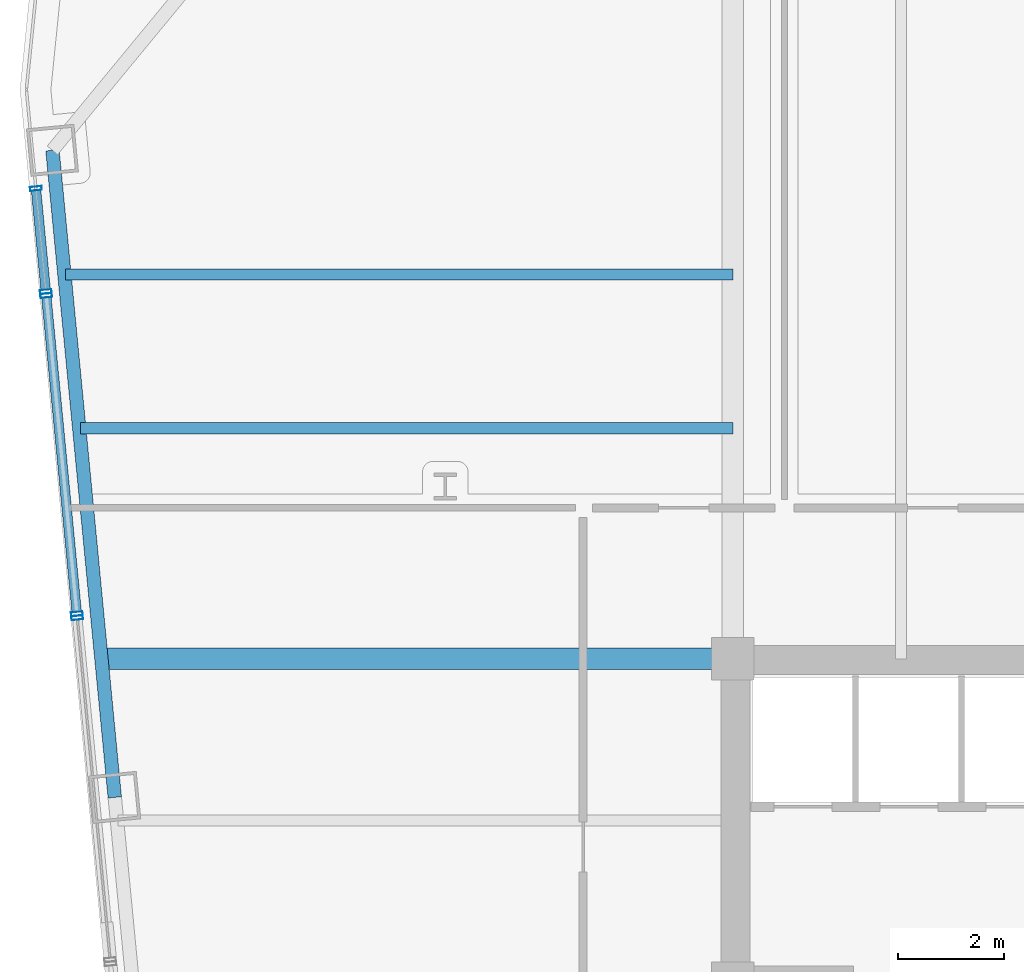
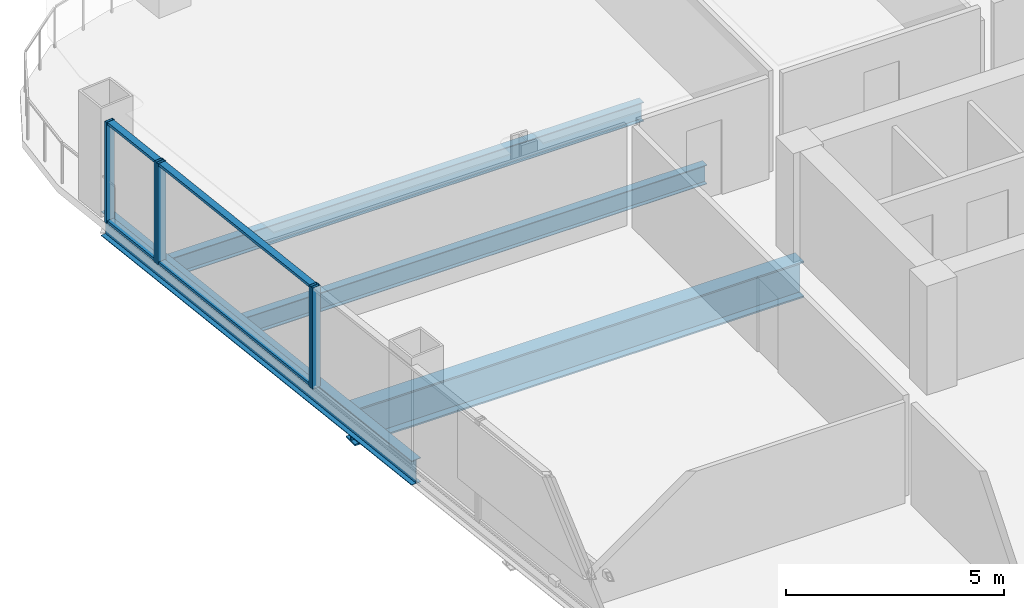
# One storey, part 20 of 34: 9 members, 4 beams, 3 elements without a shape of their own.
"""IFC4 building model written with IfcOpenShell, lengths in metres."""

import ifcopenshell
import ifcopenshell.guid

model = None  # the IFC model being written
_history = None  # IfcOwnerHistory: only IFC2X3 demands one
_inside = {}  # id of a spatial element -> (the spatial element, [elements in it])
_under = {}  # id of a project, library or spatial element -> (it, [spatial elements below it])
_declared = {}  # id of a project -> (the project, [libraries it declares])
_typed = {}  # id of a type object -> (the type object, [elements of that type])
_made_of = {}  # id of a material, layer set ... -> (it, [elements and type objects made of it])


def new_model(schema):
    """Start an empty IFC model of exactly this schema.

    Asked for "IFC4X3", IfcOpenShell would pick the latest addendum, in which some entities
    have other attributes; the version numbers below select the first issue.
    IFC2X3 requires an IfcOwnerHistory on every rooted entity: one is made here for all.
    """
    global model, _history
    if schema == "IFC4X3":
        model = ifcopenshell.file(schema_version=(4, 3, 0, 0))
    else:
        model = ifcopenshell.file(schema=schema)
    _inside.clear()
    _under.clear()
    _declared.clear()
    _typed.clear()
    _made_of.clear()
    _history = None
    if model.schema == "IFC2X3":
        org = make("IfcOrganization", Name="unknown")
        user = make(
            "IfcPersonAndOrganization",
            ThePerson=make("IfcPerson", FamilyName="unknown"),
            TheOrganization=org,
        )
        app = make(
            "IfcApplication",
            ApplicationDeveloper=org,
            Version="unknown",
            ApplicationFullName="unknown",
            ApplicationIdentifier="unknown",
        )
        _history = make(
            "IfcOwnerHistory",
            OwningUser=user,
            OwningApplication=app,
            ChangeAction="ADDED",
            CreationDate=0,
        )
    return model


def make(cls, **values):
    """One entity of the class cls with the attributes given. An attribute that is None is left unset."""
    return model.create_entity(
        cls, **{name: value for name, value in values.items() if value is not None}
    )


def rooted(cls, **values):
    """An entity with a GlobalId (a new one), such as an element, a storey or a relation."""
    return make(cls, GlobalId=ifcopenshell.guid.new(), OwnerHistory=_history, **values)


def si_unit(unit_type, name, prefix=None):
    """IfcSIUnit, for example si_unit("LENGTHUNIT", "METRE", prefix="MILLI")."""
    return make("IfcSIUnit", UnitType=unit_type, Prefix=prefix, Name=name)


def assignment(units):
    """IfcUnitAssignment: the units of a project."""
    return None if units is None else make("IfcUnitAssignment", Units=units)


def point(xyz):
    """IfcCartesianPoint."""
    return None if xyz is None else make("IfcCartesianPoint", Coordinates=xyz)


def direction(xyz):
    """IfcDirection."""
    return None if xyz is None else make("IfcDirection", DirectionRatios=xyz)


def frame(location, z_axis=None, x_axis=None):
    """IfcAxis2Placement3D, a coordinate frame: its origin and axes. An axis left out is left unset."""
    return make(
        "IfcAxis2Placement3D",
        Location=point(location),
        Axis=direction(z_axis),
        RefDirection=direction(x_axis),
    )


def frame_2d(location, x_axis=None):
    """IfcAxis2Placement2D, a coordinate frame in the plane: its origin and x axis."""
    return make(
        "IfcAxis2Placement2D", Location=point(location), RefDirection=direction(x_axis)
    )


def origin():
    """The frame at (0, 0, 0) with its axes left unset."""
    return frame((0.0, 0.0, 0.0))


def origin_2d():
    """The frame at (0, 0) in the plane with its x axis left unset."""
    return frame_2d((0.0, 0.0))


def place(relative_to, where):
    """IfcLocalPlacement: puts the frame where relative to a parent placement (None: the world)."""
    return make(
        "IfcLocalPlacement", PlacementRelTo=relative_to, RelativePlacement=where
    )


def context(
    kind, dimensions, precision=None, world=None, true_north=None, identifier=None
):
    """IfcGeometricRepresentationContext, for example the 3D "Model" context."""
    return make(
        "IfcGeometricRepresentationContext",
        ContextIdentifier=identifier,
        ContextType=kind,
        CoordinateSpaceDimension=dimensions,
        Precision=precision,
        WorldCoordinateSystem=world,
        TrueNorth=true_north,
    )


def subcontext(parent, identifier, kind, view, scale=None):
    """IfcGeometricRepresentationSubContext, for example "Body" below "Model"."""
    return make(
        "IfcGeometricRepresentationSubContext",
        ContextIdentifier=identifier,
        ContextType=kind,
        ParentContext=parent,
        TargetScale=scale,
        TargetView=view,
    )


def project(units=None, contexts=None):
    """IfcProject with its units and contexts."""
    return rooted(
        "IfcProject",
        Name="project",
        RepresentationContexts=contexts,
        UnitsInContext=assignment(units),
    )


def spatial(cls, under=None, at=None, **own):
    """A site, building, storey or space (cls), placed at a placement, below another one or the project."""
    s = rooted(cls, ObjectPlacement=at, **own)
    if under is not None:
        _under.setdefault(under.id(), (under, []))[1].append(s)
    return s


def profile(cls, at=None, kind="AREA", **sizes):
    """A parametric profile (cls). Its sizes go by their IFC names, for example OverallWidth=200.0."""
    return make(cls, ProfileType=kind, Position=at, **sizes)


def hollow_rectangle(**sizes):
    """IfcRectangleHollowProfileDef."""
    return profile("IfcRectangleHollowProfileDef", **sizes)


def i_section(**sizes):
    """IfcIShapeProfileDef."""
    return profile("IfcIShapeProfileDef", **sizes)


def extrude(swept, where, along, depth):
    """IfcExtrudedAreaSolid: the profile swept, set in the frame where, extruded along a direction by depth."""
    return make(
        "IfcExtrudedAreaSolid",
        SweptArea=swept,
        Position=where,
        ExtrudedDirection=direction(along),
        Depth=depth,
    )


def shape(context_of_items, identifier, shape_type, items):
    """IfcShapeRepresentation: the items that make up one representation, for example the "Body"."""
    return make(
        "IfcShapeRepresentation",
        ContextOfItems=context_of_items,
        RepresentationIdentifier=identifier,
        RepresentationType=shape_type,
        Items=items,
    )


def material(Name=None, Category=None):
    """IfcMaterial."""
    return make("IfcMaterial", Name=Name, Category=Category)


def layer(
    of_material, thickness, ventilated=None, Name=None, Category=None, Priority=None
):
    """IfcMaterialLayer: one layer of a wall or slab, of a material (None: an air gap)."""
    return make(
        "IfcMaterialLayer",
        Material=of_material,
        LayerThickness=thickness,
        IsVentilated=ventilated,
        Name=Name,
        Category=Category,
        Priority=Priority,
    )


def layer_set(layers, Name=None):
    """IfcMaterialLayerSet."""
    return make("IfcMaterialLayerSet", MaterialLayers=layers, LayerSetName=Name)


def material_profile(
    of_material, cross_section, Name=None, Category=None, Priority=None
):
    """IfcMaterialProfile: a cross section and its material."""
    return make(
        "IfcMaterialProfile",
        Name=Name,
        Material=of_material,
        Profile=cross_section,
        Priority=Priority,
        Category=Category,
    )


def profile_set(profiles, Name=None, composite=None):
    """IfcMaterialProfileSet."""
    return make(
        "IfcMaterialProfileSet",
        Name=Name,
        MaterialProfiles=profiles,
        CompositeProfile=composite,
    )


def made_of(thing, what):
    """Note that an element or type object is made of a material, layer set ...; save() writes the relation."""
    if what is not None:
        _made_of.setdefault(what.id(), (what, []))[1].append(thing)
    return thing


def type_object(cls, material=None, **own):
    """A type object (cls), such as IfcWallType, which elements share."""
    return made_of(rooted(cls, **own), material)


def element(
    cls,
    number,
    at=None,
    inside=None,
    cuts=None,
    type_object=None,
    material=None,
    context=None,
    identifier="Body",
    shape_type=None,
    held_by="IfcProductDefinitionShape",
    body=None,
    shapes=None,
    **own,
):
    """One element of the class cls, such as IfcWall. Its Tag is "e" and its number.

    at: its placement. inside: the storey or other place that contains it. cuts: it is an
    opening in that element (IfcRelVoidsElement). A single representation is given by context,
    identifier, shape_type and body (its items); several are given by shapes. held_by: the class
    of the entity that holds the representations. save() writes the other relations.
    """
    e = rooted(cls, Tag="e%d" % number, ObjectPlacement=at, **own)
    if body is not None:
        shapes = [shape(context, identifier, shape_type, body)]
    if shapes is not None:
        e.Representation = make(held_by, Representations=shapes)
    if inside is not None:
        _inside.setdefault(inside.id(), (inside, []))[1].append(e)
    if cuts is not None:
        rooted(
            "IfcRelVoidsElement", RelatingBuildingElement=cuts, RelatedOpeningElement=e
        )
    if type_object is not None:
        _typed.setdefault(type_object.id(), (type_object, []))[1].append(e)
    return made_of(e, material)


def aggregate(whole, parts):
    """IfcRelAggregates: a whole, such as a stair, and the parts it consists of."""
    return rooted("IfcRelAggregates", RelatingObject=whole, RelatedObjects=parts)


def save(model, path):
    """Write the relations noted so far, then the file.

    IfcRelAggregates (storeys below a building ...), IfcRelContainedInSpatialStructure (elements
    in a storey), IfcRelDefinesByType, IfcRelAssociatesMaterial and IfcRelDeclares: one each for
    every whole, place, type object, material and project.
    """
    for whole, parts in _under.values():
        aggregate(whole, parts)
    for where, things in _inside.values():
        rooted(
            "IfcRelContainedInSpatialStructure",
            RelatedElements=things,
            RelatingStructure=where,
        )
    for kind, things in _typed.values():
        rooted("IfcRelDefinesByType", RelatedObjects=things, RelatingType=kind)
    for what, things in _made_of.values():
        rooted("IfcRelAssociatesMaterial", RelatedObjects=things, RelatingMaterial=what)
    for by, libraries in _declared.values():
        rooted("IfcRelDeclares", RelatingContext=by, RelatedDefinitions=libraries)
    model.write(path)


model = new_model("IFC4")

# Units and contexts
model_context = context("Model", 3, precision=1e-05, world=origin(), true_north=direction((0.0, 1.0)))
body_context = subcontext(model_context, "Body", "Model", "MODEL_VIEW")
ifc_project = project(units=[si_unit("LENGTHUNIT", "METRE"), si_unit("AREAUNIT", "SQUARE_METRE"), si_unit("VOLUMEUNIT", "CUBIC_METRE"), si_unit("PLANEANGLEUNIT", "RADIAN"), si_unit("MASSUNIT", "GRAM", prefix="KILO")], contexts=[model_context])

# Site, building, storey
site_placement = place(None, origin())
site = spatial("IfcSite", under=ifc_project, at=site_placement, CompositionType="ELEMENT")
building_placement = place(site_placement, origin())
building = spatial("IfcBuilding", under=site, at=building_placement, Name="Qhalaya Broadcast Tower", CompositionType="ELEMENT")
storey_placement = place(building_placement, frame((0.0, 0.0, 78.60009765625)))
storey = spatial("IfcBuildingStorey", under=building, at=storey_placement, Name="L22", CompositionType="ELEMENT", Elevation=78.60009765625)

# Beams
ifc_material_1 = material(Name="Structural Steel ASTM A992 Grade 50", Category="steel")
ifc_material_profile_1 = material_profile(ifc_material_1, i_section(OverallWidth=0.2099609375, OverallDepth=0.535888671875, WebThickness=0.010986328125, FlangeThickness=0.017333984375, at=origin_2d()), Name="W21X68")
ifc_profile_set_1 = profile_set([ifc_material_profile_1], Name="Structural Steel ASTM A992 Grade 50")
beam_type_1 = type_object("IfcBeamType", Name="Composite Floor Joist J02", PredefinedType="JOIST", material=ifc_profile_set_1)
beam_1_placement = place(storey_placement, frame((-21.6875, 14.300048828125, -0.488037109375), z_axis=(1.0, 0.0, 0.0), x_axis=(0.0, 1.0, 0.0)))
element("IfcBeam", 1, at=beam_1_placement, inside=storey, type_object=beam_type_1, Name="L22 J02 L22-JWE6W-1", PredefinedType="JOIST", context=body_context, shape_type="SweptSolid", body=[
    extrude(i_section(OverallWidth=0.2099609375, OverallDepth=0.535888671875, WebThickness=0.010986328125, FlangeThickness=0.017333984375, at=origin_2d()), origin(), (0.0, 0.0, 1.0), 12.3125),
])
beam_2_placement = place(storey_placement, frame((-21.966796875, 17.199951171875, -0.488037109375), z_axis=(1.0, 0.0, 0.0), x_axis=(0.0, 1.0, 0.0)))
element("IfcBeam", 2, at=beam_2_placement, inside=storey, type_object=beam_type_1, Name="L22 J02 L22-JWE7W-1", PredefinedType="JOIST", context=body_context, shape_type="SweptSolid", body=[
    extrude(i_section(OverallWidth=0.2099609375, OverallDepth=0.535888671875, WebThickness=0.010986328125, FlangeThickness=0.017333984375, at=origin_2d()), origin(), (0.0, 0.0, 1.0), 12.591796875),
])
ifc_material_profile_2 = material_profile(ifc_material_1, i_section(OverallWidth=0.40087890625, OverallDepth=1.010986328125, WebThickness=0.023681640625, FlangeThickness=0.0419921875, at=origin_2d()), Name="W40X297")
ifc_profile_set_2 = profile_set([ifc_material_profile_2], Name="Structural Steel ASTM A992 Grade 50")
beam_type_2 = type_object("IfcBeamType", Name="Lower Block Primary Girder PG2", PredefinedType="USERDEFINED", material=ifc_profile_set_2)
beam_3_placement = place(storey_placement, frame((-21.2685546875, 9.949951171875, -0.7255859375), z_axis=(1.0, 0.0, 0.0), x_axis=(0.0, 1.0, 0.0)))
element("IfcBeam", 3, at=beam_3_placement, inside=storey, type_object=beam_type_2, Name="L22 PG2 L22-PGYW4-1", ObjectType="GIRDER", PredefinedType="USERDEFINED", context=body_context, shape_type="SweptSolid", body=[
    extrude(i_section(OverallWidth=0.40087890625, OverallDepth=1.010986328125, WebThickness=0.023681640625, FlangeThickness=0.0419921875, at=origin_2d()), origin(), (0.0, 0.0, 1.0), 11.8935546875),
])
ifc_material_profile_3 = material_profile(ifc_material_1, i_section(OverallWidth=0.25390625, OverallDepth=0.68310546875, WebThickness=0.012451171875, FlangeThickness=0.01904296875, at=origin_2d()), Name="W27X94")
ifc_profile_set_3 = profile_set([ifc_material_profile_3], Name="Structural Steel ASTM A992 Grade 50")
beam_type_3 = type_object("IfcBeamType", Name="Perimeter Ring Spandrel Beam SP1", PredefinedType="SPANDREL", material=ifc_profile_set_3)
beam_4_placement = place(storey_placement, frame((-22.212646484375, 19.54541015625, -0.5615234375), z_axis=(0.095851586307, -0.99539563662, 0.0), x_axis=(0.99539563662, 0.095851586307, 0.0)))
element("IfcBeam", 4, at=beam_4_placement, inside=storey, type_object=beam_type_3, Name="L22 SP1 L22-SPR-13", PredefinedType="SPANDREL", context=body_context, shape_type="SweptSolid", body=[
    extrude(i_section(OverallWidth=0.25390625, OverallDepth=0.68310546875, WebThickness=0.012451171875, FlangeThickness=0.01904296875, at=origin_2d()), origin(), (0.0, 0.0, 1.0), 12.2666015625),
])

# Curtain wall, members
ifc_material_2 = material(Name="Solar-Control Low-E Triple Glazing", Category="glass")
ifc_layer_1 = layer(ifc_material_2, 0.219970703125, Name="Solar-Control Low-E Triple Glazing")
ifc_layer_set_1 = layer_set([ifc_layer_1], Name="Solar-Control Low-E Triple Glazing")
curtain_wall_type_1 = type_object("IfcCurtainWallType", Name="Even-Block 4-Storey Double-Module Curtain Wall CW-03", PredefinedType="NOTDEFINED", material=ifc_layer_set_1)
curtain_wall_1_placement = place(storey_placement, origin())
curtain_wall_1 = element("IfcCurtainWall", 5, at=curtain_wall_1_placement, inside=storey, type_object=curtain_wall_type_1, Name="L22 Unitised Curtain Wall L22-CW-W1", PredefinedType="NOTDEFINED")
ifc_material_3 = material(Name="Anodised Aluminium 6063-T6", Category="aluminium")
ifc_material_profile_4 = material_profile(ifc_material_3, hollow_rectangle(XDim=0.074951171875, YDim=0.219970703125, WallThickness=0.00390625, at=origin_2d()), Name="ALU-MUL 75x220x4")
ifc_profile_set_4 = profile_set([ifc_material_profile_4], Name="Anodised Aluminium 6063-T6")
member_type_1 = type_object("IfcMemberType", Name="Unitised Curtain-Wall Mullion M01", PredefinedType="MULLION", material=ifc_profile_set_4)
member_1_placement = place(storey_placement, frame((-22.52490234375, 18.82470703125, 0.0), z_axis=(0.0, 0.0, 1.0), x_axis=(0.095857964978, -0.995395022366, 0.0)))
member_1 = element("IfcMember", 6, at=member_1_placement, type_object=member_type_1, Name="CW-03 mullion 1", PredefinedType="MULLION", context=body_context, shape_type="SweptSolid", body=[
    extrude(hollow_rectangle(XDim=0.074951171875, YDim=0.219970703125, WallThickness=0.00390625, at=origin_2d()), origin(), (0.0, 0.0, 1.0), 2.829833984375),
])
member_2_placement = place(storey_placement, frame((-22.337646484375, 16.879638671875, 0.0), z_axis=(0.0, 0.0, 1.0), x_axis=(0.095857964978, -0.995395022366, 0.0)))
member_2 = element("IfcMember", 7, at=member_2_placement, type_object=member_type_1, Name="CW-03 mullion 2", PredefinedType="MULLION", context=body_context, shape_type="SweptSolid", body=[
    extrude(hollow_rectangle(XDim=0.074951171875, YDim=0.219970703125, WallThickness=0.00390625, at=origin_2d()), origin(), (0.0, 0.0, 1.0), 2.829833984375),
])

ifc_material_4 = material(Name="Fired Architectural Terracotta", Category="masonry")
ifc_layer_2 = layer(ifc_material_4, 0.219970703125, Name="Fired Architectural Terracotta")
ifc_layer_set_2 = layer_set([ifc_layer_2], Name="Fired Architectural Terracotta")
curtain_wall_type_2 = type_object("IfcCurtainWallType", Name="Block-Cap Unitised Terracotta Spandrel Wall CW-07", PredefinedType="NOTDEFINED", material=ifc_layer_set_2)
curtain_wall_2_placement = place(storey_placement, origin())
curtain_wall_2 = element("IfcCurtainWall", 8, at=curtain_wall_2_placement, inside=storey, type_object=curtain_wall_type_2, Name="L22 Unitised Curtain Wall L22-CW-W2", PredefinedType="NOTDEFINED")
member_3_placement = place(storey_placement, frame((-22.33056640625, 16.804931640625, 0.0), z_axis=(0.0, 0.0, 1.0), x_axis=(0.095843409779, -0.995396423945, 0.0)))
member_3 = element("IfcMember", 9, at=member_3_placement, type_object=member_type_1, Name="CW-07 mullion 1", PredefinedType="MULLION", context=body_context, shape_type="SweptSolid", body=[
    extrude(hollow_rectangle(XDim=0.074951171875, YDim=0.219970703125, WallThickness=0.00390625, at=origin_2d()), origin(), (0.0, 0.0, 1.0), 2.829833984375),
])
member_4_placement = place(storey_placement, frame((-21.752197265625, 10.798828125, 0.0), z_axis=(0.0, 0.0, 1.0), x_axis=(0.095843409779, -0.995396423945, 0.0)))
member_4 = element("IfcMember", 10, at=member_4_placement, type_object=member_type_1, Name="CW-07 mullion 2", PredefinedType="MULLION", context=body_context, shape_type="SweptSolid", body=[
    extrude(hollow_rectangle(XDim=0.074951171875, YDim=0.219970703125, WallThickness=0.00390625, at=origin_2d()), origin(), (0.0, 0.0, 1.0), 2.829833984375),
])

# Curtain wall, member
curtain_wall_3_placement = place(storey_placement, origin())
curtain_wall_3 = element("IfcCurtainWall", 11, at=curtain_wall_3_placement, inside=storey, type_object=curtain_wall_type_1, Name="L22 Unitised Curtain Wall L22-CW-W3", PredefinedType="NOTDEFINED")
member_5_placement = place(storey_placement, frame((-21.7451171875, 10.72412109375, 0.0), z_axis=(0.0, 0.0, 1.0), x_axis=(0.095852453314, -0.995395553131, 0.0)))
member_5 = element("IfcMember", 12, at=member_5_placement, type_object=member_type_1, Name="CW-03 mullion 1", PredefinedType="MULLION", context=body_context, shape_type="SweptSolid", body=[
    extrude(hollow_rectangle(XDim=0.074951171875, YDim=0.219970703125, WallThickness=0.00390625, at=origin_2d()), origin(), (0.0, 0.0, 1.0), 2.829833984375),
])
aggregate(curtain_wall_3, [member_5])

# Member
ifc_material_profile_5 = material_profile(ifc_material_3, hollow_rectangle(XDim=0.074951171875, YDim=0.179931640625, WallThickness=0.00390625, at=origin_2d()), Name="ALU-TRN 75x180x4")
ifc_profile_set_5 = profile_set([ifc_material_profile_5], Name="Anodised Aluminium 6063-T6")
member_type_2 = type_object("IfcMemberType", Name="Unitised Curtain-Wall Transom T01", PredefinedType="USERDEFINED", material=ifc_profile_set_5)
member_6_placement = place(storey_placement, frame((-22.521484375, 18.787353515625, 0.037353515625), z_axis=(0.095888184111, -0.995392111757, 0.0), x_axis=(0.0, 0.0, 1.0)))
member_6 = element("IfcMember", 13, at=member_6_placement, type_object=member_type_2, Name="CW-03 transom 1.1", ObjectType="TRANSOM", PredefinedType="USERDEFINED", context=body_context, shape_type="SweptSolid", body=[
    extrude(hollow_rectangle(XDim=0.074951171875, YDim=0.179931640625, WallThickness=0.00390625, at=origin_2d()), origin(), (0.0, 0.0, 1.0), 1.87890625),
])

member_7_placement = place(storey_placement, frame((-22.521484375, 18.787353515625, 2.79248046875), z_axis=(0.095888184111, -0.995392111757, 0.0), x_axis=(0.0, 0.0, 1.0)))
member_7 = element("IfcMember", 14, at=member_7_placement, type_object=member_type_2, Name="CW-03 transom 1.2", ObjectType="TRANSOM", PredefinedType="USERDEFINED", context=body_context, shape_type="SweptSolid", body=[
    extrude(hollow_rectangle(XDim=0.074951171875, YDim=0.179931640625, WallThickness=0.00390625, at=origin_2d()), origin(), (0.0, 0.0, 1.0), 1.87890625),
])

aggregate(curtain_wall_1, [member_1, member_2, member_6, member_7])

member_8_placement = place(storey_placement, frame((-22.326904296875, 16.767578125, 0.037353515625), z_axis=(0.095831851759, -0.99539753676, 0.0), x_axis=(0.0, 0.0, 1.0)))
member_8 = element("IfcMember", 15, at=member_8_placement, type_object=member_type_2, Name="CW-07 transom 1.1", ObjectType="TRANSOM", PredefinedType="USERDEFINED", context=body_context, shape_type="SweptSolid", body=[
    extrude(hollow_rectangle(XDim=0.074951171875, YDim=0.179931640625, WallThickness=0.00390625, at=origin_2d()), origin(), (0.0, 0.0, 1.0), 5.958740234375),
])

member_9_placement = place(storey_placement, frame((-22.326904296875, 16.767578125, 2.79248046875), z_axis=(0.095831851759, -0.99539753676, 0.0), x_axis=(0.0, 0.0, 1.0)))
member_9 = element("IfcMember", 16, at=member_9_placement, type_object=member_type_2, Name="CW-07 transom 1.2", ObjectType="TRANSOM", PredefinedType="USERDEFINED", context=body_context, shape_type="SweptSolid", body=[
    extrude(hollow_rectangle(XDim=0.074951171875, YDim=0.179931640625, WallThickness=0.00390625, at=origin_2d()), origin(), (0.0, 0.0, 1.0), 5.958740234375),
])

aggregate(curtain_wall_2, [member_3, member_4, member_8, member_9])

save(model, "model.ifc")
